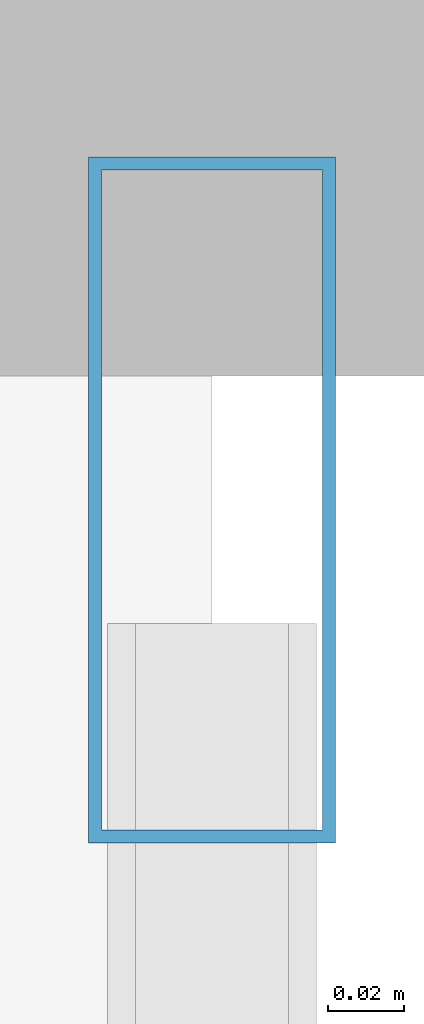
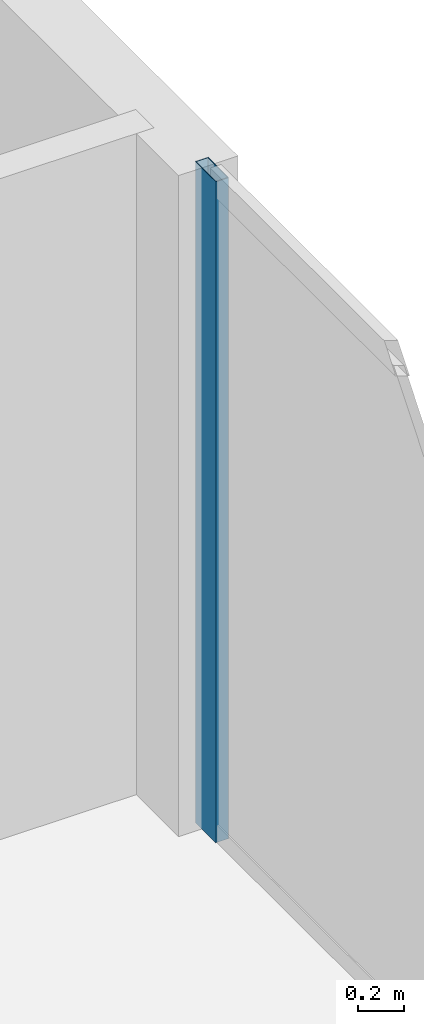
# One storey, part 21 of 32: 1 member, 1 element without a shape of its own.
"""IFC4 building model written with IfcOpenShell, lengths in metres."""

from ifc_helpers import new_model, si_unit, direction, frame, origin, origin_2d, place, context, subcontext, project, spatial, hollow_rectangle, extrude, material, layer, layer_set, material_profile, profile_set, type_object, element, aggregate, save


model = new_model("IFC4")

# Units and contexts
model_context = context("Model", 3, precision=1e-05, world=origin(), true_north=direction((0.0, 1.0)))
body_context = subcontext(model_context, "Body", "Model", "MODEL_VIEW")
ifc_project = project(units=[si_unit("LENGTHUNIT", "METRE"), si_unit("AREAUNIT", "SQUARE_METRE"), si_unit("VOLUMEUNIT", "CUBIC_METRE"), si_unit("PLANEANGLEUNIT", "RADIAN"), si_unit("MASSUNIT", "GRAM", prefix="KILO")], contexts=[model_context])

# Site, building, storey
site_placement = place(None, origin())
site = spatial("IfcSite", under=ifc_project, at=site_placement, CompositionType="ELEMENT")
building_placement = place(site_placement, origin())
building = spatial("IfcBuilding", under=site, at=building_placement, Name="Zuhayl Quay Hotel", CompositionType="ELEMENT")
storey_placement = place(building_placement, frame((0.0, 0.0, 188.64990234375)))
storey = spatial("IfcBuildingStorey", under=building, at=storey_placement, Name="L47", CompositionType="ELEMENT", Elevation=188.64990234375)

# Curtain wall, member
ifc_material_1 = material(Name="Anodised Aluminium 6063-T6", Category="aluminium")
ifc_layer = layer(ifc_material_1, 0.175048828125, Name="Anodised Aluminium 6063-T6", Category="aluminium")
ifc_layer_set = layer_set([ifc_layer], Name="Anodised Aluminium 6063-T6")
curtain_wall_type = type_object("IfcCurtainWallType", Name="CW_SYS_Z3", PredefinedType="USERDEFINED", material=ifc_layer_set)
curtain_wall_placement = place(storey_placement, origin())
curtain_wall = element("IfcCurtainWall", 1, at=curtain_wall_placement, inside=storey, type_object=curtain_wall_type, Name="L47 Curtain Wall ENV_L47_E11_CW1", ObjectType="UNITISED CURTAIN WALL", PredefinedType="USERDEFINED")
ifc_material_2 = material(Name="Black-anodised aluminium 6063-T6", Category="aluminium")
ifc_material_profile = material_profile(ifc_material_2, hollow_rectangle(XDim=0.06494140625, YDim=0.179931640625, WallThickness=0.00341796875, at=origin_2d()), Name="ALU180X65")
ifc_profile_set = profile_set([ifc_material_profile], Name="Black-anodised aluminium 6063-T6")
member_type = type_object("IfcMemberType", Name="MB_CW_MUL_180", PredefinedType="MULLION", material=ifc_profile_set)
member_placement = place(storey_placement, frame((22.10009765625, 26.367431640625, 0.0), z_axis=(0.0, 0.0, 1.0), x_axis=(1.0, 0.0, 0.0)))
member = element("IfcMember", 2, at=member_placement, type_object=member_type, Name="CW-Z3 mullion 1", PredefinedType="MULLION", context=body_context, shape_type="SweptSolid", body=[
    extrude(hollow_rectangle(XDim=0.06494140625, YDim=0.179931640625, WallThickness=0.00341796875, at=origin_2d()), origin(), (0.0, 0.0, 1.0), 3.530029296875),
])
aggregate(curtain_wall, [member])

save(model, "model.ifc")
